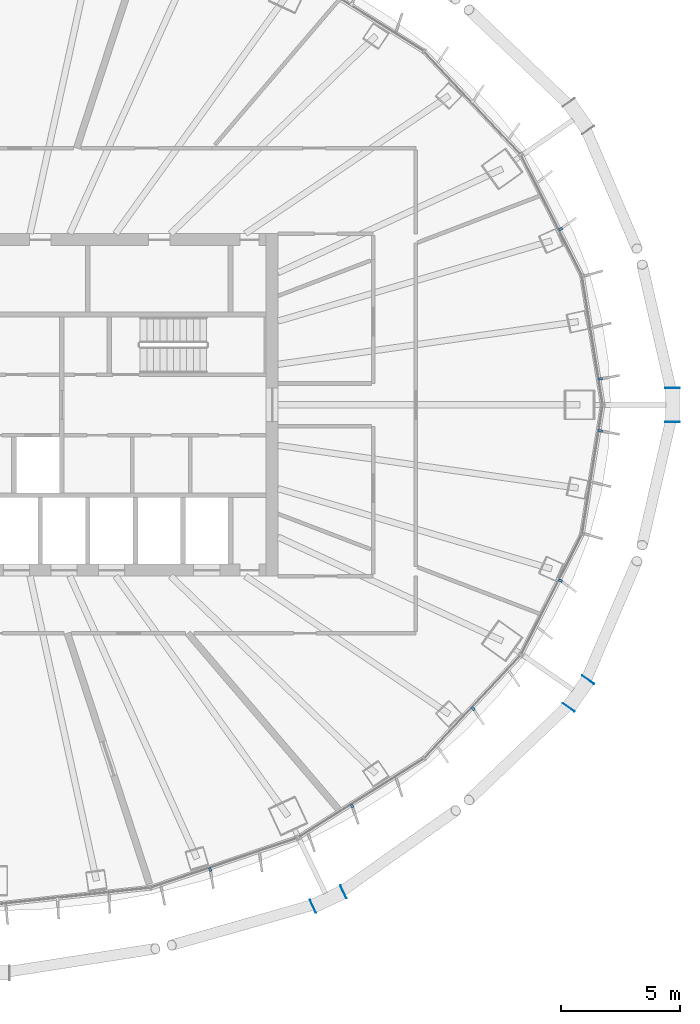
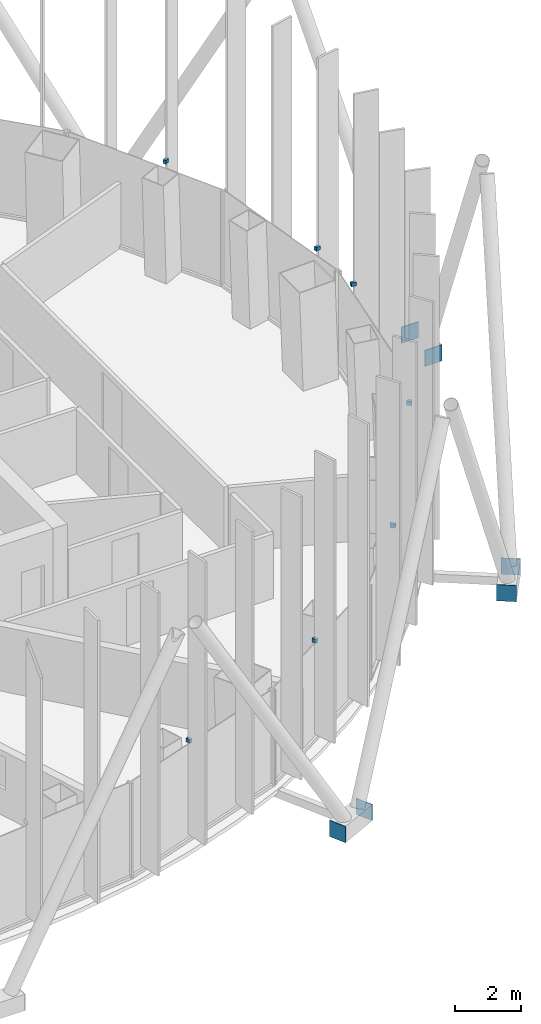
# One storey, part 14 of 20: 13 discrete accessories.
"""IFC4 building model written with IfcOpenShell, lengths in metres."""

from ifc_helpers import new_model, si_unit, direction, frame, origin, origin_2d, place, context, subcontext, project, spatial, rectangle, extrude, material, layer, layer_set, type_object, element, save


model = new_model("IFC4")

# Units and contexts
model_context = context("Model", 3, precision=1e-05, world=origin(), true_north=direction((0.0, 1.0)))
body_context = subcontext(model_context, "Body", "Model", "MODEL_VIEW")
ifc_project = project(units=[si_unit("LENGTHUNIT", "METRE"), si_unit("AREAUNIT", "SQUARE_METRE"), si_unit("VOLUMEUNIT", "CUBIC_METRE"), si_unit("PLANEANGLEUNIT", "RADIAN"), si_unit("MASSUNIT", "GRAM", prefix="KILO")], contexts=[model_context])

# Site, building, storey
site_placement = place(None, origin())
site = spatial("IfcSite", under=ifc_project, at=site_placement, CompositionType="ELEMENT")
building_placement = place(site_placement, origin())
building = spatial("IfcBuilding", under=site, at=building_placement, Name="Siaravel Broadcast Tower", CompositionType="ELEMENT")
storey_placement = place(building_placement, frame((0.0, 0.0, 108.199951171875)))
storey = spatial("IfcBuildingStorey", under=building, at=storey_placement, Name="L25", CompositionType="ELEMENT", Elevation=108.199951171875)

# Discrete accessories
ifc_material_1 = material(Name="Stainless steel 316", Category="steel")
discrete_accessory_type_1 = type_object("IfcDiscreteAccessoryType", Name="Stainless steel fin bracket", PredefinedType="USERDEFINED", material=ifc_material_1)
for number, where, z_axis, x_axis, name in (
    (1, (25.560791015625, 1.0927734375, 3.68505859375), (0.0, 0.0, 1.0), (0.987329198, 0.158685394, 0.0), "Fin bracket L25-01"),
    (2, (23.88427734375, 7.393310546875, 3.68505859375), (0.0, 0.0, 1.0), (0.892392151, 0.451260732, 0.0), "Fin bracket L25-04"),
    (3, (9.146728515625, -19.541015625, 3.68505859375), (0.0, 0.0, 1.0), (0.321300635, -0.946977245, 0.0), "Fin bracket L25-55"),
    (4, (15.113037109375, -16.864501953125, 3.68505859375), (0.0, 0.0, 1.0), (0.532149452, -0.846650436, 0.0), "Fin bracket L25-58"),
    (5, (20.20654296875, -12.77734375, 3.68505859375), (0.0, 0.0, 1.0), (0.729804415, -0.683655992, 0.0), "Fin bracket L25-61"),
    (6, (23.88427734375, -7.393310546875, 3.68505859375), (0.0, 0.0, 1.0), (0.892392151, -0.451260732, 0.0), "Fin bracket L25-64"),
    (7, (25.560791015625, -1.0927734375, 3.68505859375), (0.0, 0.0, 1.0), (0.987329198, -0.158685394, 0.0), "Fin bracket L25-67"),
):
    element("IfcDiscreteAccessory", number, at=place(storey_placement, frame(where, z_axis=z_axis, x_axis=x_axis)), inside=storey, type_object=discrete_accessory_type_1, Name=name, ObjectType="BRACKET", PredefinedType="USERDEFINED", context=body_context, shape_type="SweptSolid", body=[
        extrude(rectangle(XDim=0.159912109375, YDim=0.10009765625, at=origin_2d()), origin(), (0.0, 0.0, 1.0), 0.139892578125),
    ])
ifc_material_2 = material(Name="Steel S355", Category="steel")
ifc_layer = layer(ifc_material_2, 0.02001953125)
ifc_layer_set = layer_set([ifc_layer], Name="Steel S355")
discrete_accessory_type_2 = type_object("IfcDiscreteAccessoryType", Name="Steel end plate 20 mm", PredefinedType="USERDEFINED", material=ifc_layer_set)
for number, where, z_axis, x_axis, name in (
    (8, (28.589599609375, 0.7099609375, -0.5), (0.0, 0.0, 1.0), (0.0, 1.0, 0.0), "End plate R11 station 00A"),
    (9, (28.589599609375, -0.7099609375, -0.5), (0.0, 0.0, 1.0), (0.0, 1.0, 0.0), "End plate R11 station 00B"),
    (10, (14.748046875, -20.483154296875, -0.5), (0.0, 0.0, 1.0), (0.904007202, 0.427517227, 0.0), "End plate R11 station 60A"),
    (11, (13.464599609375, -21.090087890625, -0.5), (0.0, 0.0, 1.0), (0.904007202, 0.427517227, 0.0), "End plate R11 station 60B"),
    (12, (25.041748046875, -11.56201171875, -0.5), (0.0, 0.0, 1.0), (0.576119939, 0.817365167, 0.0), "End plate R11 station 66A"),
    (13, (24.2236328125, -12.722412109375, -0.5), (0.0, 0.0, 1.0), (0.576119939, 0.817365167, 0.0), "End plate R11 station 66B"),
):
    element("IfcDiscreteAccessory", number, at=place(storey_placement, frame(where, z_axis=z_axis, x_axis=x_axis)), inside=storey, type_object=discrete_accessory_type_2, Name=name, ObjectType="END PLATE", PredefinedType="USERDEFINED", context=body_context, shape_type="SweptSolid", body=[
        extrude(rectangle(XDim=0.02001953125, YDim=0.60009765625, at=origin_2d()), origin(), (0.0, 0.0, 1.0), 0.60009765625),
    ])

save(model, "model.ifc")
